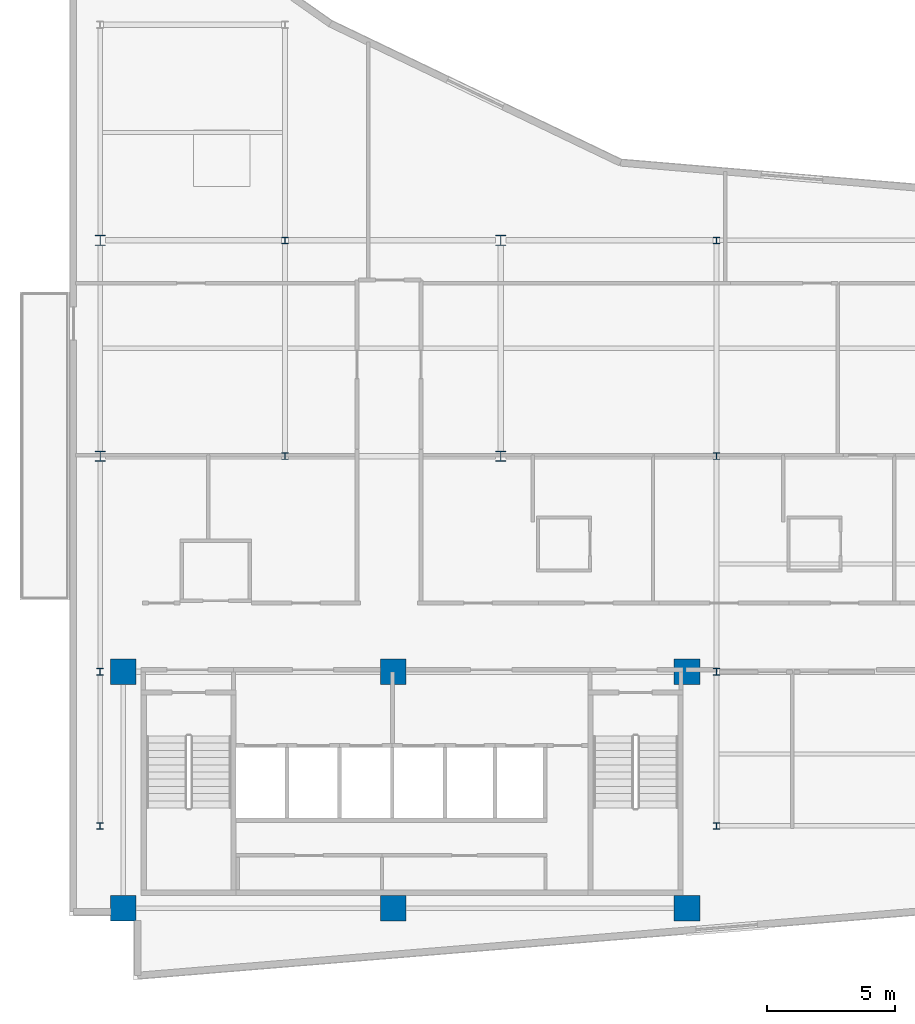
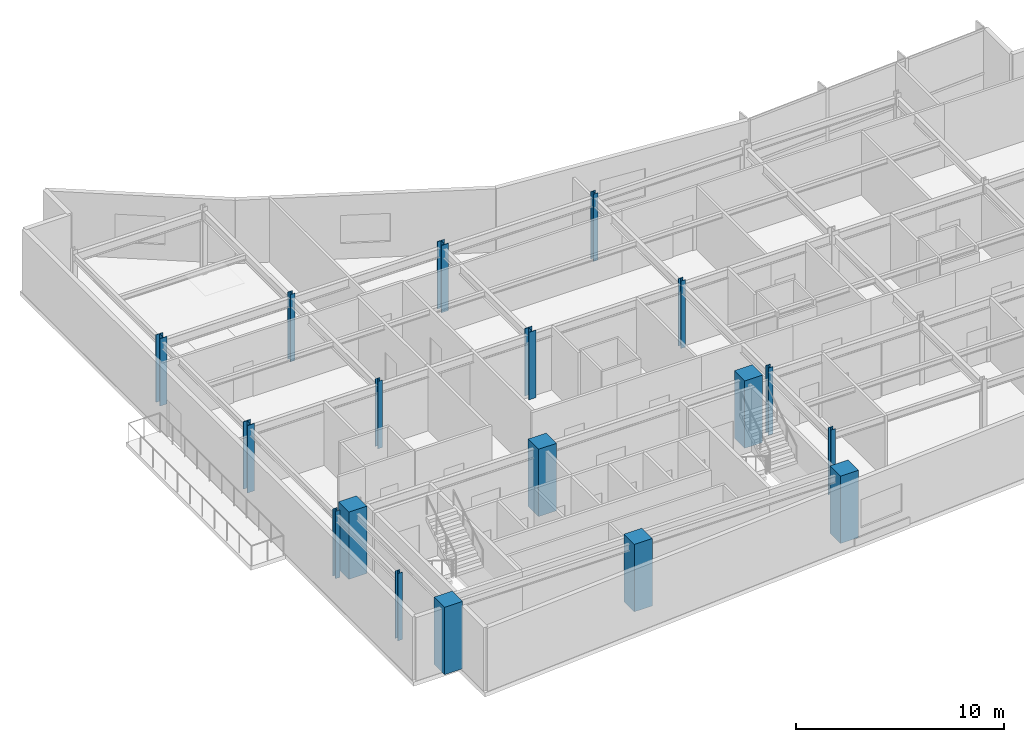
# One storey, part 1 of 16: 18 columns.
"""IFC4 building model written with IfcOpenShell, lengths in metres."""

from ifc_helpers import new_model, si_unit, direction, frame, origin, origin_2d, place, context, subcontext, project, spatial, rectangle, i_section, extrude, material, material_profile, profile_set, type_object, element, save


model = new_model("IFC4")

# Units and contexts
model_context = context("Model", 3, precision=1e-05, world=origin(), true_north=direction((0.0, 1.0)))
body_context = subcontext(model_context, "Body", "Model", "MODEL_VIEW")
ifc_project = project(units=[si_unit("LENGTHUNIT", "METRE"), si_unit("AREAUNIT", "SQUARE_METRE"), si_unit("VOLUMEUNIT", "CUBIC_METRE"), si_unit("PLANEANGLEUNIT", "RADIAN"), si_unit("MASSUNIT", "GRAM", prefix="KILO")], contexts=[model_context])

# Site, building, storey
site_placement = place(None, origin())
site = spatial("IfcSite", under=ifc_project, at=site_placement, CompositionType="ELEMENT")
building_placement = place(site_placement, origin())
building = spatial("IfcBuilding", under=site, at=building_placement, Name="Varnakote Quay Hospital", CompositionType="ELEMENT")
storey_placement = place(building_placement, frame((0.0, 0.0, 188.14990234375)))
storey = spatial("IfcBuildingStorey", under=building, at=storey_placement, Name="L46", CompositionType="ELEMENT", Elevation=188.14990234375)

# Columns
ifc_material_1 = material(Name="Concrete N65 (f'c 65 MPa)", Category="concrete")
ifc_material_profile_1 = material_profile(ifc_material_1, rectangle(XDim=1.0, YDim=1.0, at=origin_2d()), Name="RC-COL-1000x1000")
ifc_profile_set_1 = profile_set([ifc_material_profile_1], Name="Concrete N65 (f'c 65 MPa)")
column_type_1 = type_object("IfcColumnType", Name="COL-RC-1000", PredefinedType="COLUMN", material=ifc_profile_set_1)
for number, where, z_axis, x_axis, name in (
    (1, (2.10009765625, 2.800048828125, 0.0), (0.0, 0.0, 1.0), (1.0, 0.0, 0.0), "L46 Structural Column C-2-3"),
    (2, (12.6201171875, 2.800048828125, 0.0), (0.0, 0.0, 1.0), (1.0, 0.0, 0.0), "L46 Structural Column C-13-3"),
    (3, (24.050048828125, 2.800048828125, 0.0), (0.0, 0.0, 1.0), (1.0, 0.0, 0.0), "L46 Structural Column C-24-3"),
    (4, (2.10009765625, 12.0, 0.0), (0.0, 0.0, 1.0), (1.0, 0.0, 0.0), "L46 Structural Column C-2-12"),
    (5, (12.6201171875, 12.0, 0.0), (0.0, 0.0, 1.0), (1.0, 0.0, 0.0), "L46 Structural Column C-13-12"),
    (6, (24.050048828125, 12.0, 0.0), (0.0, 0.0, 1.0), (1.0, 0.0, 0.0), "L46 Structural Column C-24-12"),
):
    element("IfcColumn", number, at=place(storey_placement, frame(where, z_axis=z_axis, x_axis=x_axis)), inside=storey, type_object=column_type_1, Name=name, PredefinedType="COLUMN", context=body_context, shape_type="SweptSolid", body=[
        extrude(rectangle(XDim=1.0, YDim=1.0, at=origin_2d()), origin(), (0.0, 0.0, 1.0), 3.9501953125),
    ])
ifc_material_2 = material(Name="Structural steel AS/NZS 3679.1 Grade 350 L0 (fy 340 MPa)", Category="steel")
ifc_material_profile_2 = material_profile(ifc_material_2, i_section(OverallWidth=0.256103515625, OverallDepth=0.260009765625, WebThickness=0.010498046875, FlangeThickness=0.017333984375, FilletRadius=0.0126953125, at=origin_2d()), Name="250UC89.5")
ifc_profile_set_2 = profile_set([ifc_material_profile_2], Name="Structural steel AS/NZS 3679.1 Grade 350 L0 (fy 340 MPa)")
column_type_2 = type_object("IfcColumnType", Name="COL-STL-250UC89-5", PredefinedType="COLUMN", material=ifc_profile_set_2)
for number, where, z_axis, x_axis, name in (
    (7, (1.199951171875, 6.0, 0.0), (0.0, 0.0, 1.0), (1.0, 0.0, 0.0), "L46 Structural Column C-1-6"),
    (8, (25.199951171875, 6.0, 0.0), (0.0, 0.0, 1.0), (1.0, 0.0, 0.0), "L46 Structural Column C-25-6"),
    (9, (1.199951171875, 12.0, 0.0), (0.0, 0.0, 1.0), (1.0, 0.0, 0.0), "L46 Structural Column C-1-12"),
    (10, (25.199951171875, 12.0, 0.0), (0.0, 0.0, 1.0), (1.0, 0.0, 0.0), "L46 Structural Column C-25-12"),
    (11, (8.39990234375, 20.39990234375, 0.0), (0.0, 0.0, 1.0), (1.0, 0.0, 0.0), "L46 Structural Column C-8-20"),
    (12, (25.199951171875, 20.39990234375, 0.0), (0.0, 0.0, 1.0), (1.0, 0.0, 0.0), "L46 Structural Column C-25-20"),
    (13, (8.39990234375, 28.800048828125, 0.0), (0.0, 0.0, 1.0), (1.0, 0.0, 0.0), "L46 Structural Column C-8-29"),
    (14, (25.199951171875, 28.800048828125, 0.0), (0.0, 0.0, 1.0), (1.0, 0.0, 0.0), "L46 Structural Column C-25-29"),
):
    element("IfcColumn", number, at=place(storey_placement, frame(where, z_axis=z_axis, x_axis=x_axis)), inside=storey, type_object=column_type_2, Name=name, PredefinedType="COLUMN", context=body_context, shape_type="SweptSolid", body=[
        extrude(i_section(OverallWidth=0.256103515625, OverallDepth=0.260009765625, WebThickness=0.010498046875, FlangeThickness=0.017333984375, FilletRadius=0.0126953125, at=origin_2d()), origin(), (0.0, 0.0, 1.0), 3.9501953125),
    ])
ifc_material_3 = material(Name="Structural steel AS/NZS 3678 Grade 350 (fy 340 MPa)", Category="steel")
ifc_material_profile_3 = material_profile(ifc_material_3, i_section(OverallWidth=0.39990234375, OverallDepth=0.404052734375, WebThickness=0.02001953125, FlangeThickness=0.031982421875, at=origin_2d()), Name="400WC270")
ifc_profile_set_3 = profile_set([ifc_material_profile_3], Name="Structural steel AS/NZS 3678 Grade 350 (fy 340 MPa)")
column_type_3 = type_object("IfcColumnType", Name="COL-STL-400WC270", PredefinedType="COLUMN", material=ifc_profile_set_3)
for number, where, z_axis, x_axis, name in (
    (15, (1.199951171875, 20.39990234375, 0.0), (0.0, 0.0, 1.0), (1.0, 0.0, 0.0), "L46 Structural Column C-1-20"),
    (16, (16.800048828125, 20.39990234375, 0.0), (0.0, 0.0, 1.0), (1.0, 0.0, 0.0), "L46 Structural Column C-17-20"),
    (17, (1.199951171875, 28.800048828125, 0.0), (0.0, 0.0, 1.0), (1.0, 0.0, 0.0), "L46 Structural Column C-1-29"),
    (18, (16.800048828125, 28.800048828125, 0.0), (0.0, 0.0, 1.0), (1.0, 0.0, 0.0), "L46 Structural Column C-17-29"),
):
    element("IfcColumn", number, at=place(storey_placement, frame(where, z_axis=z_axis, x_axis=x_axis)), inside=storey, type_object=column_type_3, Name=name, PredefinedType="COLUMN", context=body_context, shape_type="SweptSolid", body=[
        extrude(i_section(OverallWidth=0.39990234375, OverallDepth=0.404052734375, WebThickness=0.02001953125, FlangeThickness=0.031982421875, at=origin_2d()), origin(), (0.0, 0.0, 1.0), 3.9501953125),
    ])

save(model, "model.ifc")
